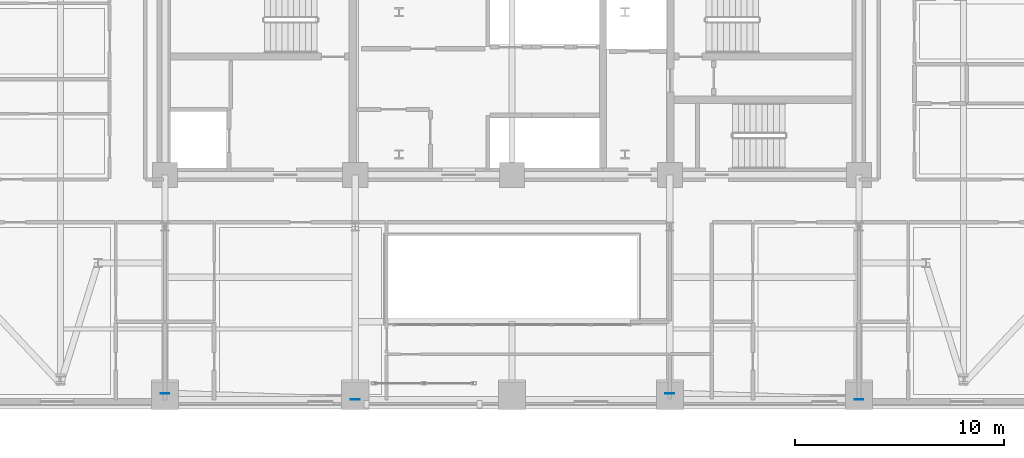
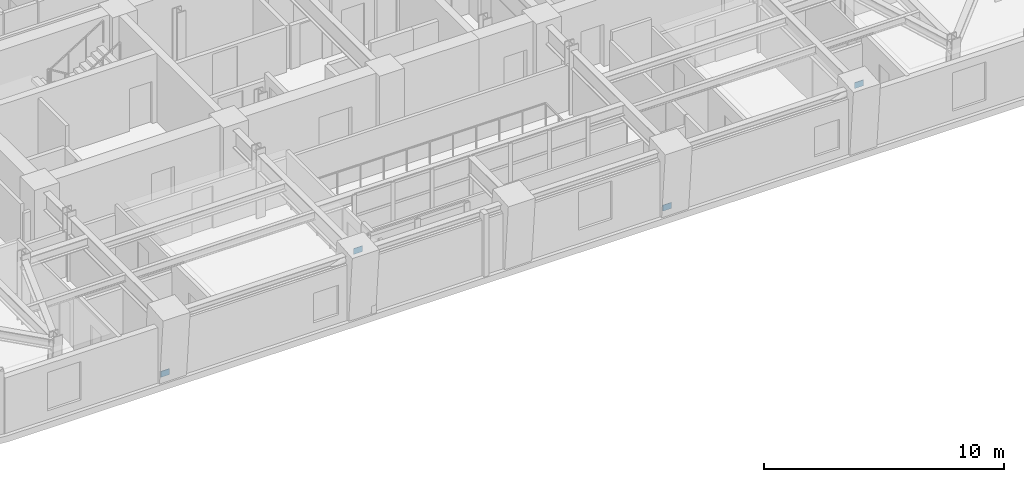
# One storey, part 7 of 16: 4 plates.
"""IFC4 building model written with IfcOpenShell, lengths in metres."""

import ifcopenshell
import ifcopenshell.guid

model = None  # the IFC model being written
_history = None  # IfcOwnerHistory: only IFC2X3 demands one
_inside = {}  # id of a spatial element -> (the spatial element, [elements in it])
_under = {}  # id of a project, library or spatial element -> (it, [spatial elements below it])
_declared = {}  # id of a project -> (the project, [libraries it declares])
_typed = {}  # id of a type object -> (the type object, [elements of that type])
_made_of = {}  # id of a material, layer set ... -> (it, [elements and type objects made of it])


def new_model(schema):
    """Start an empty IFC model of exactly this schema.

    Asked for "IFC4X3", IfcOpenShell would pick the latest addendum, in which some entities
    have other attributes; the version numbers below select the first issue.
    IFC2X3 requires an IfcOwnerHistory on every rooted entity: one is made here for all.
    """
    global model, _history
    if schema == "IFC4X3":
        model = ifcopenshell.file(schema_version=(4, 3, 0, 0))
    else:
        model = ifcopenshell.file(schema=schema)
    _inside.clear()
    _under.clear()
    _declared.clear()
    _typed.clear()
    _made_of.clear()
    _history = None
    if model.schema == "IFC2X3":
        org = make("IfcOrganization", Name="unknown")
        user = make(
            "IfcPersonAndOrganization",
            ThePerson=make("IfcPerson", FamilyName="unknown"),
            TheOrganization=org,
        )
        app = make(
            "IfcApplication",
            ApplicationDeveloper=org,
            Version="unknown",
            ApplicationFullName="unknown",
            ApplicationIdentifier="unknown",
        )
        _history = make(
            "IfcOwnerHistory",
            OwningUser=user,
            OwningApplication=app,
            ChangeAction="ADDED",
            CreationDate=0,
        )
    return model


def make(cls, **values):
    """One entity of the class cls with the attributes given. An attribute that is None is left unset."""
    return model.create_entity(
        cls, **{name: value for name, value in values.items() if value is not None}
    )


def rooted(cls, **values):
    """An entity with a GlobalId (a new one), such as an element, a storey or a relation."""
    return make(cls, GlobalId=ifcopenshell.guid.new(), OwnerHistory=_history, **values)


def si_unit(unit_type, name, prefix=None):
    """IfcSIUnit, for example si_unit("LENGTHUNIT", "METRE", prefix="MILLI")."""
    return make("IfcSIUnit", UnitType=unit_type, Prefix=prefix, Name=name)


def assignment(units):
    """IfcUnitAssignment: the units of a project."""
    return None if units is None else make("IfcUnitAssignment", Units=units)


def point(xyz):
    """IfcCartesianPoint."""
    return None if xyz is None else make("IfcCartesianPoint", Coordinates=xyz)


def direction(xyz):
    """IfcDirection."""
    return None if xyz is None else make("IfcDirection", DirectionRatios=xyz)


def frame(location, z_axis=None, x_axis=None):
    """IfcAxis2Placement3D, a coordinate frame: its origin and axes. An axis left out is left unset."""
    return make(
        "IfcAxis2Placement3D",
        Location=point(location),
        Axis=direction(z_axis),
        RefDirection=direction(x_axis),
    )


def frame_2d(location, x_axis=None):
    """IfcAxis2Placement2D, a coordinate frame in the plane: its origin and x axis."""
    return make(
        "IfcAxis2Placement2D", Location=point(location), RefDirection=direction(x_axis)
    )


def origin():
    """The frame at (0, 0, 0) with its axes left unset."""
    return frame((0.0, 0.0, 0.0))


def origin_2d():
    """The frame at (0, 0) in the plane with its x axis left unset."""
    return frame_2d((0.0, 0.0))


def place(relative_to, where):
    """IfcLocalPlacement: puts the frame where relative to a parent placement (None: the world)."""
    return make(
        "IfcLocalPlacement", PlacementRelTo=relative_to, RelativePlacement=where
    )


def context(
    kind, dimensions, precision=None, world=None, true_north=None, identifier=None
):
    """IfcGeometricRepresentationContext, for example the 3D "Model" context."""
    return make(
        "IfcGeometricRepresentationContext",
        ContextIdentifier=identifier,
        ContextType=kind,
        CoordinateSpaceDimension=dimensions,
        Precision=precision,
        WorldCoordinateSystem=world,
        TrueNorth=true_north,
    )


def subcontext(parent, identifier, kind, view, scale=None):
    """IfcGeometricRepresentationSubContext, for example "Body" below "Model"."""
    return make(
        "IfcGeometricRepresentationSubContext",
        ContextIdentifier=identifier,
        ContextType=kind,
        ParentContext=parent,
        TargetScale=scale,
        TargetView=view,
    )


def project(units=None, contexts=None):
    """IfcProject with its units and contexts."""
    return rooted(
        "IfcProject",
        Name="project",
        RepresentationContexts=contexts,
        UnitsInContext=assignment(units),
    )


def spatial(cls, under=None, at=None, **own):
    """A site, building, storey or space (cls), placed at a placement, below another one or the project."""
    s = rooted(cls, ObjectPlacement=at, **own)
    if under is not None:
        _under.setdefault(under.id(), (under, []))[1].append(s)
    return s


def profile(cls, at=None, kind="AREA", **sizes):
    """A parametric profile (cls). Its sizes go by their IFC names, for example OverallWidth=200.0."""
    return make(cls, ProfileType=kind, Position=at, **sizes)


def rectangle(**sizes):
    """IfcRectangleProfileDef."""
    return profile("IfcRectangleProfileDef", **sizes)


def extrude(swept, where, along, depth):
    """IfcExtrudedAreaSolid: the profile swept, set in the frame where, extruded along a direction by depth."""
    return make(
        "IfcExtrudedAreaSolid",
        SweptArea=swept,
        Position=where,
        ExtrudedDirection=direction(along),
        Depth=depth,
    )


def shape(context_of_items, identifier, shape_type, items):
    """IfcShapeRepresentation: the items that make up one representation, for example the "Body"."""
    return make(
        "IfcShapeRepresentation",
        ContextOfItems=context_of_items,
        RepresentationIdentifier=identifier,
        RepresentationType=shape_type,
        Items=items,
    )


def material(Name=None, Category=None):
    """IfcMaterial."""
    return make("IfcMaterial", Name=Name, Category=Category)


def layer(
    of_material, thickness, ventilated=None, Name=None, Category=None, Priority=None
):
    """IfcMaterialLayer: one layer of a wall or slab, of a material (None: an air gap)."""
    return make(
        "IfcMaterialLayer",
        Material=of_material,
        LayerThickness=thickness,
        IsVentilated=ventilated,
        Name=Name,
        Category=Category,
        Priority=Priority,
    )


def layer_set(layers, Name=None):
    """IfcMaterialLayerSet."""
    return make("IfcMaterialLayerSet", MaterialLayers=layers, LayerSetName=Name)


def made_of(thing, what):
    """Note that an element or type object is made of a material, layer set ...; save() writes the relation."""
    if what is not None:
        _made_of.setdefault(what.id(), (what, []))[1].append(thing)
    return thing


def type_object(cls, material=None, **own):
    """A type object (cls), such as IfcWallType, which elements share."""
    return made_of(rooted(cls, **own), material)


def element(
    cls,
    number,
    at=None,
    inside=None,
    cuts=None,
    type_object=None,
    material=None,
    context=None,
    identifier="Body",
    shape_type=None,
    held_by="IfcProductDefinitionShape",
    body=None,
    shapes=None,
    **own,
):
    """One element of the class cls, such as IfcWall. Its Tag is "e" and its number.

    at: its placement. inside: the storey or other place that contains it. cuts: it is an
    opening in that element (IfcRelVoidsElement). A single representation is given by context,
    identifier, shape_type and body (its items); several are given by shapes. held_by: the class
    of the entity that holds the representations. save() writes the other relations.
    """
    e = rooted(cls, Tag="e%d" % number, ObjectPlacement=at, **own)
    if body is not None:
        shapes = [shape(context, identifier, shape_type, body)]
    if shapes is not None:
        e.Representation = make(held_by, Representations=shapes)
    if inside is not None:
        _inside.setdefault(inside.id(), (inside, []))[1].append(e)
    if cuts is not None:
        rooted(
            "IfcRelVoidsElement", RelatingBuildingElement=cuts, RelatedOpeningElement=e
        )
    if type_object is not None:
        _typed.setdefault(type_object.id(), (type_object, []))[1].append(e)
    return made_of(e, material)


def aggregate(whole, parts):
    """IfcRelAggregates: a whole, such as a stair, and the parts it consists of."""
    return rooted("IfcRelAggregates", RelatingObject=whole, RelatedObjects=parts)


def save(model, path):
    """Write the relations noted so far, then the file.

    IfcRelAggregates (storeys below a building ...), IfcRelContainedInSpatialStructure (elements
    in a storey), IfcRelDefinesByType, IfcRelAssociatesMaterial and IfcRelDeclares: one each for
    every whole, place, type object, material and project.
    """
    for whole, parts in _under.values():
        aggregate(whole, parts)
    for where, things in _inside.values():
        rooted(
            "IfcRelContainedInSpatialStructure",
            RelatedElements=things,
            RelatingStructure=where,
        )
    for kind, things in _typed.values():
        rooted("IfcRelDefinesByType", RelatedObjects=things, RelatingType=kind)
    for what, things in _made_of.values():
        rooted("IfcRelAssociatesMaterial", RelatedObjects=things, RelatingMaterial=what)
    for by, libraries in _declared.values():
        rooted("IfcRelDeclares", RelatingContext=by, RelatedDefinitions=libraries)
    model.write(path)


model = new_model("IFC4")

# Units and contexts
model_context = context("Model", 3, precision=1e-05, world=origin(), true_north=direction((0.0, 1.0)))
body_context = subcontext(model_context, "Body", "Model", "MODEL_VIEW")
ifc_project = project(units=[si_unit("LENGTHUNIT", "METRE"), si_unit("AREAUNIT", "SQUARE_METRE"), si_unit("VOLUMEUNIT", "CUBIC_METRE"), si_unit("PLANEANGLEUNIT", "RADIAN"), si_unit("MASSUNIT", "GRAM", prefix="KILO")], contexts=[model_context])

# Site, building, storey
site_placement = place(None, origin())
site = spatial("IfcSite", under=ifc_project, at=site_placement, CompositionType="ELEMENT")
building_placement = place(site_placement, origin())
building = spatial("IfcBuilding", under=site, at=building_placement, Name="Zarnavel Station Tower", CompositionType="ELEMENT")
storey_placement = place(building_placement, frame((0.0, 0.0, 97.800048828125)))
storey = spatial("IfcBuildingStorey", under=building, at=storey_placement, Name="L26", CompositionType="ELEMENT", Elevation=97.800048828125)

# Plates
ifc_material = material(Name="Steel S460M", Category="steel")
ifc_layer = layer(ifc_material, 0.02490234375)
ifc_layer_set = layer_set([ifc_layer], Name="GP_GUSSET_25")
plate_type = type_object("IfcPlateType", Name="GP_GUSSET_25", PredefinedType="USERDEFINED", material=ifc_layer_set)
for number, where, z_axis, x_axis, name in (
    (1, (12.199951171875, 17.365234375, -0.14990234375), (0.0, 0.0, 1.0), (1.0, 0.0, 0.0), "L26 Exterior Diagonal Brace End Gusset 1-1"),
    (2, (21.300048828125, 17.07177734375, 3.08984375), (0.0, 0.0, 1.0), (1.0, 0.0, 0.0), "L26 Exterior Diagonal Brace End Gusset 1-2"),
    (3, (36.35009765625, 17.365234375, -0.14990234375), (0.0, 0.0, 1.0), (1.0, 0.0, 0.0), "L26 Exterior Diagonal Brace End Gusset 2-1"),
    (4, (45.39990234375, 17.07177734375, 3.08984375), (0.0, 0.0, 1.0), (1.0, 0.0, 0.0), "L26 Exterior Diagonal Brace End Gusset 2-2"),
):
    element("IfcPlate", number, at=place(storey_placement, frame(where, z_axis=z_axis, x_axis=x_axis)), inside=storey, type_object=plate_type, Name=name, ObjectType="GUSSET_PLATE", PredefinedType="USERDEFINED", context=body_context, shape_type="SweptSolid", body=[
        extrude(rectangle(XDim=0.419921875, YDim=0.02490234375, at=origin_2d()), origin(), (0.0, 0.0, 1.0), 0.300048828125),
    ])

save(model, "model.ifc")
